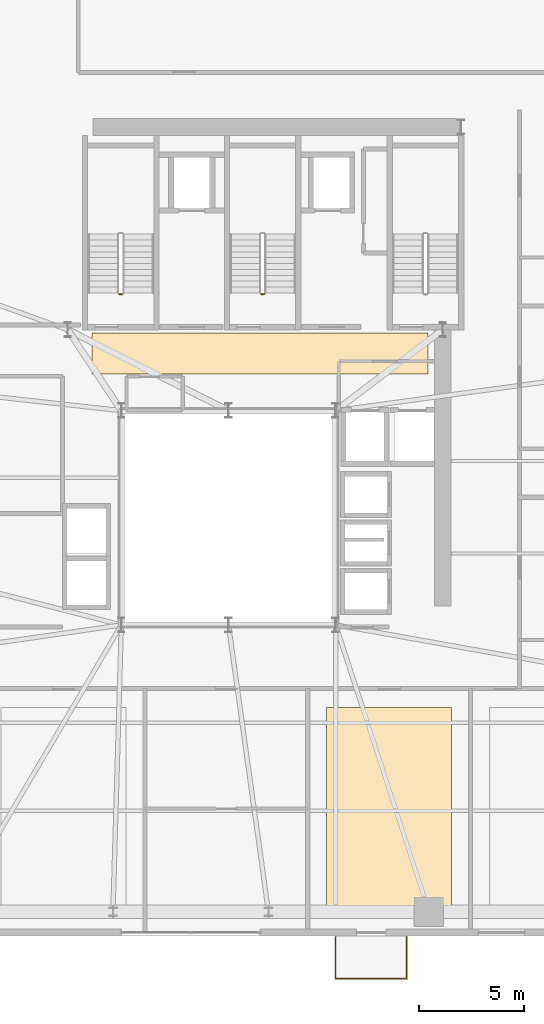
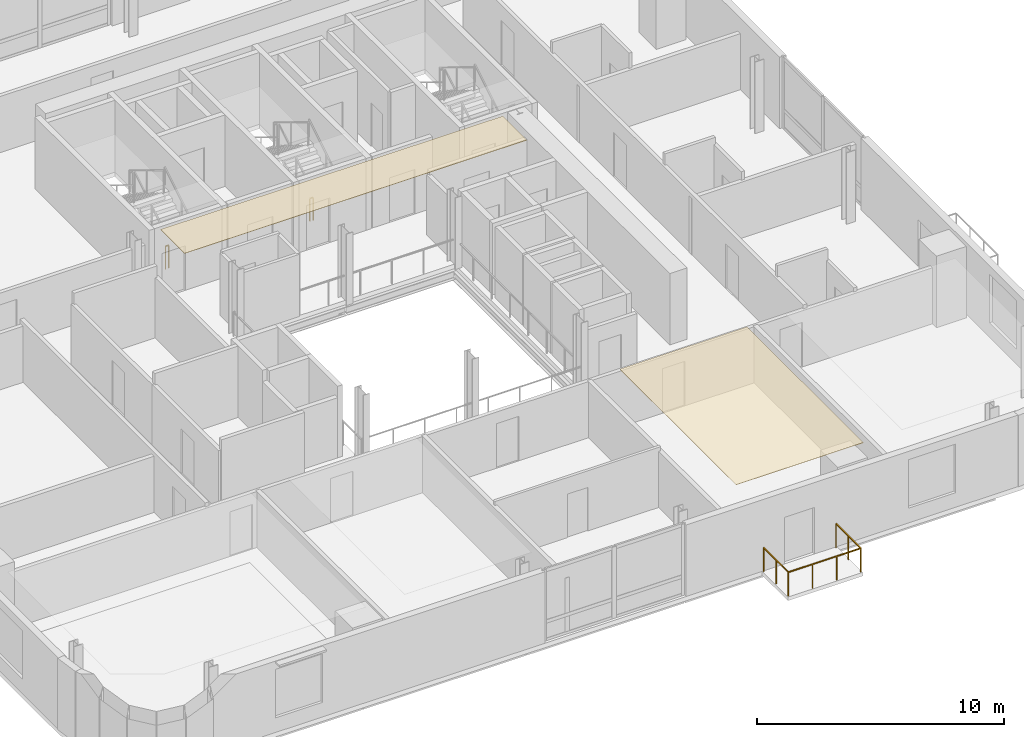
# One storey, part 13 of 16: 3 railings, 2 coverings.
"""IFC4 building model written with IfcOpenShell, lengths in metres."""

from ifc_helpers import new_model, si_unit, direction, frame, origin, origin_2d, place, context, subcontext, project, spatial, polyline, rectangle, outline, extrude, source, transform, mapped, material, layer, layer_set, type_object, element, save


model = new_model("IFC4")

# Units and contexts
model_context = context("Model", 3, precision=1e-05, world=origin(), true_north=direction((0.0, 1.0)))
body_context = subcontext(model_context, "Body", "Model", "MODEL_VIEW")
ifc_project = project(units=[si_unit("LENGTHUNIT", "METRE"), si_unit("AREAUNIT", "SQUARE_METRE"), si_unit("VOLUMEUNIT", "CUBIC_METRE"), si_unit("PLANEANGLEUNIT", "RADIAN"), si_unit("MASSUNIT", "GRAM", prefix="KILO")], contexts=[model_context])

# Site, building, storey
site_placement = place(None, origin())
site = spatial("IfcSite", under=ifc_project, at=site_placement, CompositionType="ELEMENT")
building_placement = place(site_placement, origin())
building = spatial("IfcBuilding", under=site, at=building_placement, Name="Vardaveli Station Tower", CompositionType="ELEMENT")
storey_placement = place(building_placement, frame((0.0, 0.0, 192.300048828125)))
storey = spatial("IfcBuildingStorey", under=building, at=storey_placement, Name="L49", CompositionType="ELEMENT", Elevation=192.300048828125)

# Coverings
ifc_material_1 = material(Name="Perforated acoustic mineral ceiling")
ifc_layer = layer(ifc_material_1, 0.02001953125, Name="Perforated acoustic mineral ceiling")
ifc_layer_set = layer_set([ifc_layer], Name="Perforated acoustic mineral ceiling")
covering_type = type_object("IfcCoveringType", Name="COV-CEIL-AC20", PredefinedType="CEILING", material=ifc_layer_set)
covering_1_placement = place(storey_placement, frame((0.0, 0.0, 3.514892578125)))
element("IfcCovering", 1, at=covering_1_placement, inside=storey, type_object=covering_type, Name="CEIL-L49-3", PredefinedType="CEILING", context=body_context, shape_type="SweptSolid", body=[
    extrude(outline(polyline([(40.969970703125, 3.25), (46.919921875, 3.25), (46.919921875, 12.669921875), (40.969970703125, 12.669921875), (40.969970703125, 3.25)])), origin(), (0.0, 0.0, 1.0), 0.02001953125),
])
covering_2_placement = place(storey_placement, frame((0.0, 0.0, 3.514892578125)))
element("IfcCovering", 2, at=covering_2_placement, inside=storey, type_object=covering_type, Name="CEIL-L49-5", PredefinedType="CEILING", context=body_context, shape_type="SweptSolid", body=[
    extrude(outline(polyline([(29.800048828125, 28.550048828125), (45.800048828125, 28.550048828125), (45.800048828125, 30.5), (29.800048828125, 30.5), (29.800048828125, 28.550048828125)])), origin(), (0.0, 0.0, 1.0), 0.02001953125),
])

# Railings
ifc_material_2 = material(Name="Laminated glass and stainless steel balustrade", Category="steel")
railing_type_1 = type_object("IfcRailingType", Name="RL-BAL-1200", PredefinedType="BALUSTRADE", material=ifc_material_2)
shared_shape_1 = source(origin(), body_context, "Body", "SweptSolid", [
    extrude(rectangle(XDim=0.048095703125, YDim=0.048095703125, at=origin_2d()), frame((0.0, 0.0, 1.17578125), z_axis=(0.0, -1.0, 0.0), x_axis=(1.0, 0.0, 0.0)), (0.0, 0.0, 1.0), 2.0),
    extrude(rectangle(XDim=0.048095703125, YDim=0.048095703125, at=origin_2d()), frame((0.0, -2.0, 1.17578125), z_axis=(1.0, 0.0, 0.0), x_axis=(0.0, 1.0, 0.0)), (0.0, 0.0, 1.0), 3.3798828125),
    extrude(rectangle(XDim=0.048095703125, YDim=0.048095703125, at=origin_2d()), frame((3.3798828125, -2.0, 1.17578125), z_axis=(0.0, 1.0, 0.0), x_axis=(-1.0, 0.0, 0.0)), (0.0, 0.0, 1.0), 2.0),
    extrude(rectangle(XDim=0.0419921875, YDim=0.0419921875, at=origin_2d()), origin(), (0.0, 0.0, 1.0), 1.15185546875),
    extrude(rectangle(XDim=0.0419921875, YDim=0.0419921875, at=origin_2d()), frame((0.0, -1.0, 0.0)), (0.0, 0.0, 1.0), 1.15185546875),
    extrude(rectangle(XDim=0.0419921875, YDim=0.0419921875, at=origin_2d()), frame((0.0, -2.0, 0.0)), (0.0, 0.0, 1.0), 1.15185546875),
    extrude(rectangle(XDim=0.0419921875, YDim=0.0419921875, at=origin_2d()), frame((1.126708984375, -2.0, 0.0)), (0.0, 0.0, 1.0), 1.15185546875),
    extrude(rectangle(XDim=0.0419921875, YDim=0.0419921875, at=origin_2d()), frame((2.253173828125, -2.0, 0.0)), (0.0, 0.0, 1.0), 1.15185546875),
    extrude(rectangle(XDim=0.0419921875, YDim=0.0419921875, at=origin_2d()), frame((3.3798828125, -2.0, 0.0)), (0.0, 0.0, 1.0), 1.15185546875),
    extrude(rectangle(XDim=0.0419921875, YDim=0.0419921875, at=origin_2d()), frame((3.3798828125, -1.0, 0.0)), (0.0, 0.0, 1.0), 1.15185546875),
    extrude(rectangle(XDim=0.0419921875, YDim=0.0419921875, at=origin_2d()), frame((3.3798828125, 0.0, 0.0)), (0.0, 0.0, 1.0), 1.15185546875),
])
railing_placement = place(storey_placement, frame((41.399658203125, 1.760009765625, 0.0)))
element("IfcRailing", 3, at=railing_placement, inside=storey, type_object=railing_type_1, Name="RL-LOG-L49-01", PredefinedType="BALUSTRADE", context=body_context, shape_type="MappedRepresentation", body=[
    mapped(shared_shape_1, transform((0.0, 0.0, 0.0), scale=1.0)),
])
ifc_material_3 = material(Name="Brushed AISI 316 stainless steel", Category="steel")
railing_type_2 = type_object("IfcRailingType", Name="RL-GUARD-1150", PredefinedType="GUARDRAIL", material=ifc_material_3)
shared_shape_2 = source(origin(), body_context, "Body", "SweptSolid", [
    extrude(rectangle(XDim=0.048095703125, YDim=0.048095703125, at=origin_2d()), frame((0.0, 0.0, 1.1259765625), z_axis=(-1.0, 0.0, 0.0), x_axis=(0.0, -1.0, 0.0)), (0.0, 0.0, 1.0), 0.14990234375),
    extrude(rectangle(XDim=0.0419921875, YDim=0.0419921875, at=origin_2d()), origin(), (0.0, 0.0, 1.0), 1.101806640625),
    extrude(rectangle(XDim=0.0419921875, YDim=0.0419921875, at=origin_2d()), frame((-0.14990234375, 0.0, 0.0)), (0.0, 0.0, 1.0), 1.101806640625),
])
for number, where, name in (
    (4, (31.25, 32.35009765625, 0.0), "L49 ST-1 stair guard 4"),
    (5, (38.0, 32.35009765625, 0.0), "L49 ST-2 stair guard 4"),
):
    element("IfcRailing", number, at=place(storey_placement, frame(where)), inside=storey, type_object=railing_type_2, Name=name, PredefinedType="GUARDRAIL", context=body_context, shape_type="MappedRepresentation", body=[
        mapped(shared_shape_2, transform((0.0, 0.0, 0.0), scale=1.0)),
    ])

save(model, "model.ifc")
